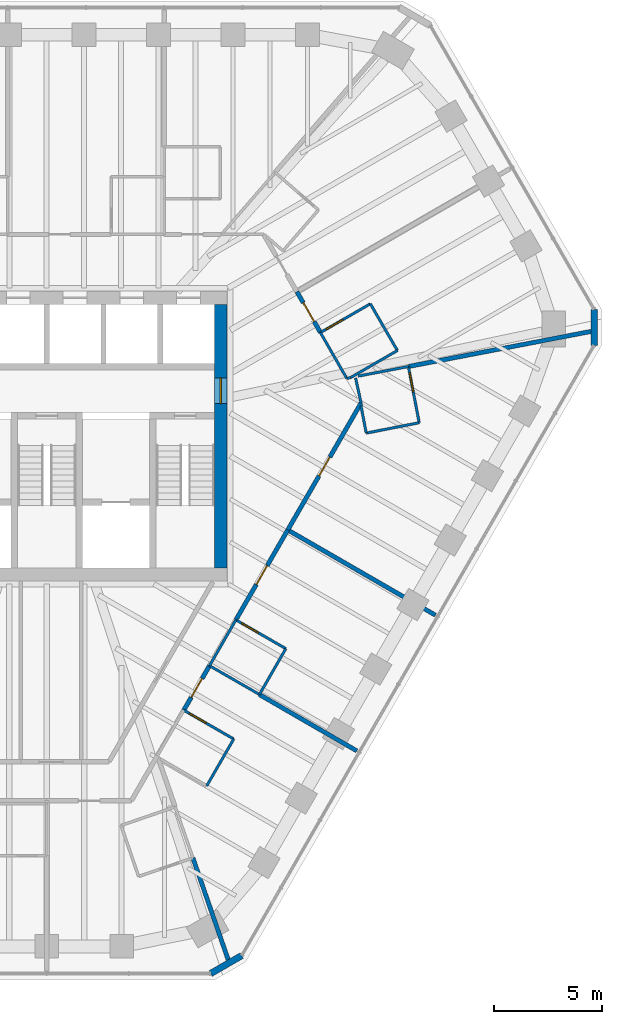
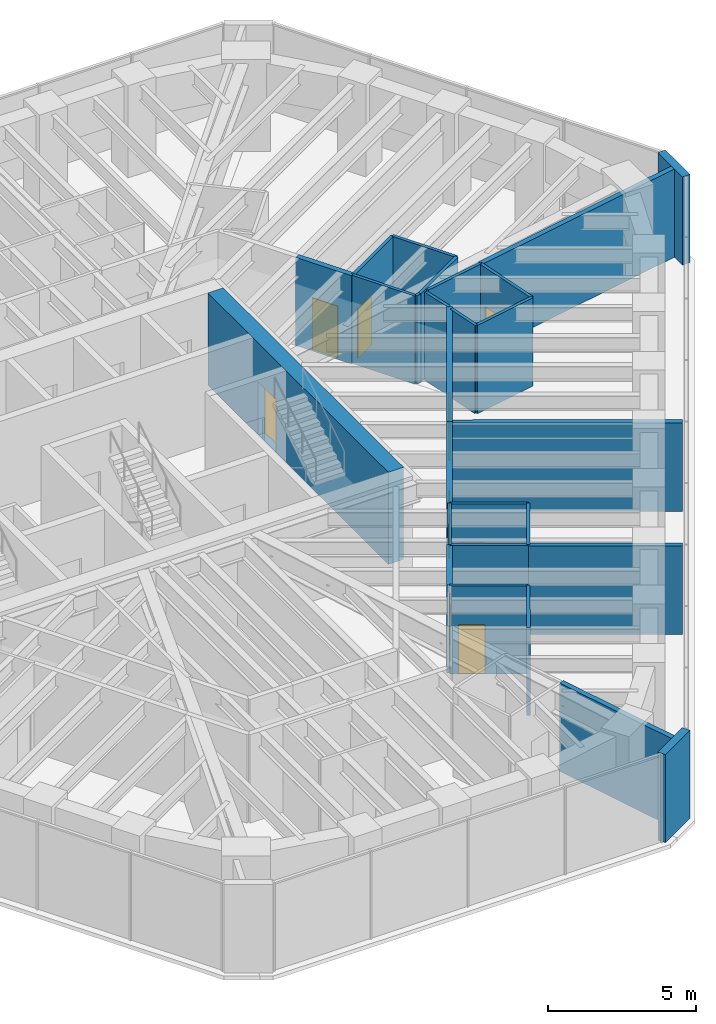
# One storey, part 11 of 14: 27 walls, 9 doors, 9 openings.
"""IFC4 building model written with IfcOpenShell, lengths in metres."""

from ifc_helpers import new_model, si_unit, direction, frame, frame_2d, origin, place, context, subcontext, project, spatial, rectangle, extrude, material, layer, layer_set, type_object, element, fill, save


model = new_model("IFC4")

# Units and contexts
model_context = context("Model", 3, precision=1e-05, world=origin(), true_north=direction((0.0, 1.0)))
body_context = subcontext(model_context, "Body", "Model", "MODEL_VIEW")
ifc_project = project(units=[si_unit("LENGTHUNIT", "METRE"), si_unit("AREAUNIT", "SQUARE_METRE"), si_unit("VOLUMEUNIT", "CUBIC_METRE"), si_unit("PLANEANGLEUNIT", "RADIAN"), si_unit("MASSUNIT", "GRAM", prefix="KILO")], contexts=[model_context])

# Site, building, storey
site_placement = place(None, origin())
site = spatial("IfcSite", under=ifc_project, at=site_placement, CompositionType="ELEMENT")
building_placement = place(site_placement, origin())
building = spatial("IfcBuilding", under=site, at=building_placement, Name="Sandreach Pilgrim Tower", CompositionType="ELEMENT")
storey_placement = place(building_placement, frame((0.0, 0.0, 287.39990234375)))
storey = spatial("IfcBuildingStorey", under=building, at=storey_placement, Name="L72", CompositionType="ELEMENT", Elevation=287.39990234375)

# Walls
ifc_material_1 = material(Name="Moisture-resistant gypsum board on steel studs", Category="steel")
ifc_layer_1 = layer(ifc_material_1, 0.1201171875)
ifc_layer_set_1 = layer_set([ifc_layer_1], Name="Bathroom partition 120")
wall_type_1 = type_object("IfcWallType", Name="Bathroom partition 120", PredefinedType="PARTITIONING", material=ifc_layer_set_1)
wall_1_placement = place(storey_placement, frame((7.39990234375, -16.179931640625, 0.0), z_axis=(0.0, 0.0, 1.0), x_axis=(0.499159685399, 0.866510016372, 0.0)))
element("IfcWall", 1, at=wall_1_placement, inside=storey, type_object=wall_type_1, Name="Bathroom partition L72-086", PredefinedType="PARTITIONING", context=body_context, shape_type="SweptSolid", body=[
    extrude(rectangle(XDim=2.504150390625, YDim=0.1201171875, at=frame_2d((1.251953125, 0.0))), origin(), (0.0, 0.0, 1.0), 3.64013671875),
])
wall_2_placement = place(storey_placement, frame((7.530029296875, -10.6201171875, 0.0), z_axis=(0.0, 0.0, 1.0), x_axis=(0.498748634132, 0.866746675766, 0.0)))
element("IfcWall", 2, at=wall_2_placement, inside=storey, type_object=wall_type_1, Name="Bathroom partition L72-087", PredefinedType="PARTITIONING", context=body_context, shape_type="SweptSolid", body=[
    extrude(rectangle(XDim=2.446044921875, YDim=0.1201171875, at=frame_2d((1.22314453125, 0.0))), origin(), (0.0, 0.0, 1.0), 3.64013671875),
])
wall_3_placement = place(storey_placement, frame((7.530029296875, -10.6201171875, 0.0), z_axis=(0.0, 0.0, 1.0), x_axis=(0.866654860089, -0.498908161372, 0.0)))
element("IfcWall", 3, at=wall_3_placement, inside=storey, type_object=wall_type_1, Name="Bathroom partition L72-088", PredefinedType="PARTITIONING", context=body_context, shape_type="SweptSolid", body=[
    extrude(rectangle(XDim=2.66552734375, YDim=0.1201171875, at=frame_2d((1.332763671875, 0.0))), origin(), (0.0, 0.0, 1.0), 3.64013671875),
])

# Wall, opening, door
wall_4_placement = place(storey_placement, frame((8.64990234375, -14.010009765625, 0.0), z_axis=(0.0, 0.0, 1.0), x_axis=(-0.866592449628, 0.499016559092, 0.0)))
wall_4 = element("IfcWall", 4, at=wall_4_placement, inside=storey, type_object=wall_type_1, Name="Bathroom partition L72-094", PredefinedType="PARTITIONING", context=body_context, shape_type="SweptSolid", body=[
    extrude(rectangle(XDim=2.665283203125, YDim=0.1201171875, at=frame_2d((1.33251953125, 0.0))), origin(), (0.0, 0.0, 1.0), 3.64013671875),
])
opening_1_placement = place(wall_4_placement, frame((1.465576171875, 0.0, 0.0)))
opening_1 = element("IfcOpeningElement", 5, at=opening_1_placement, cuts=wall_4, Name="Opening D09-09B", PredefinedType="OPENING", context=body_context, shape_type="SweptSolid", body=[
    extrude(rectangle(XDim=0.89990234375, YDim=2.030029296875, at=frame_2d((0.449951171875, 1.01513671875))), frame((0.0, 0.06005859375, 0.0), z_axis=(0.0, -1.0, 0.0), x_axis=(1.0, 0.0, 0.0)), (0.0, 0.0, 1.0), 0.1201171875),
])
ifc_material_2 = material(Name="Timber door, steel frame", Category="steel")
door_type_1 = type_object("IfcDoorType", Name="Bathroom door", OperationType="SINGLE_SWING_LEFT", PredefinedType="DOOR", material=ifc_material_2)
door_1_placement = place(opening_1_placement, origin())
door_1 = element("IfcDoor", 6, at=door_1_placement, inside=storey, type_object=door_type_1, Name="Door 7209B", OperationType="SINGLE_SWING_RIGHT", OverallHeight=2.030029296875, OverallWidth=0.89990234375, PredefinedType="DOOR", context=body_context, shape_type="SweptSolid", body=[
    extrude(rectangle(XDim=0.89990234375, YDim=2.030029296875, at=frame_2d((0.449951171875, 1.01513671875))), frame((0.0, 0.02490234375, 0.0), z_axis=(0.0, -1.0, 0.0), x_axis=(1.0, 0.0, 0.0)), (0.0, 0.0, 1.0), 0.050048828125),
])
fill(opening_1, door_1)

# Wall
wall_5_placement = place(storey_placement, frame((9.840087890625, -11.949951171875, 0.0), z_axis=(0.0, 0.0, 1.0), x_axis=(0.498791783817, 0.866721844883, 0.0)))
element("IfcWall", 7, at=wall_5_placement, inside=storey, type_object=wall_type_1, Name="Bathroom partition L72-096", PredefinedType="PARTITIONING", context=body_context, shape_type="SweptSolid", body=[
    extrude(rectangle(XDim=2.44580078125, YDim=0.1201171875, at=frame_2d((1.222900390625, 0.0))), origin(), (0.0, 0.0, 1.0), 3.64013671875),
])

# Wall, opening, door
wall_6_placement = place(storey_placement, frame((11.06005859375, -9.830078125, 0.0), z_axis=(0.0, 0.0, 1.0), x_axis=(-0.866615255992, 0.498976951453, 0.0)))
wall_6 = element("IfcWall", 8, at=wall_6_placement, inside=storey, type_object=wall_type_1, Name="Bathroom partition L72-102", PredefinedType="PARTITIONING", context=body_context, shape_type="SweptSolid", body=[
    extrude(rectangle(XDim=2.66552734375, YDim=0.1201171875, at=frame_2d((1.332763671875, 0.0))), origin(), (0.0, 0.0, 1.0), 3.64013671875),
])
opening_2_placement = place(wall_6_placement, frame((1.465576171875, 0.0, 0.0)))
opening_2 = element("IfcOpeningElement", 9, at=opening_2_placement, cuts=wall_6, Name="Opening D09-08B", PredefinedType="OPENING", context=body_context, shape_type="SweptSolid", body=[
    extrude(rectangle(XDim=0.89990234375, YDim=2.030029296875, at=frame_2d((0.449951171875, 1.01513671875))), frame((0.0, 0.06005859375, 0.0), z_axis=(0.0, -1.0, 0.0), x_axis=(1.0, 0.0, 0.0)), (0.0, 0.0, 1.0), 0.1201171875),
])
door_2_placement = place(opening_2_placement, origin())
door_2 = element("IfcDoor", 10, at=door_2_placement, inside=storey, type_object=door_type_1, Name="Door 7208B", OperationType="SINGLE_SWING_RIGHT", OverallHeight=2.030029296875, OverallWidth=0.89990234375, PredefinedType="DOOR", context=body_context, shape_type="SweptSolid", body=[
    extrude(rectangle(XDim=0.89990234375, YDim=2.030029296875, at=frame_2d((0.449951171875, 1.01513671875))), frame((0.0, 0.02490234375, 0.0), z_axis=(0.0, -1.0, 0.0), x_axis=(1.0, 0.0, 0.0)), (0.0, 0.0, 1.0), 0.050048828125),
])
fill(opening_2, door_2)

# Walls
wall_7_placement = place(storey_placement, frame((12.659912109375, 4.7900390625, 0.0), z_axis=(0.0, 0.0, 1.0), x_axis=(0.498748634132, -0.866746675766, 0.0)))
element("IfcWall", 11, at=wall_7_placement, inside=storey, type_object=wall_type_1, Name="Bathroom partition L72-106", PredefinedType="PARTITIONING", context=body_context, shape_type="SweptSolid", body=[
    extrude(rectangle(XDim=2.446044921875, YDim=0.1201171875, at=frame_2d((1.22314453125, 0.0))), origin(), (0.0, 0.0, 1.0), 3.64013671875),
])
wall_8_placement = place(storey_placement, frame((14.055908203125, 2.705078125, 0.0), z_axis=(0.0, 0.0, 1.0), x_axis=(-0.982045999474, -0.188641604419, 0.0)))
element("IfcWall", 12, at=wall_8_placement, inside=storey, type_object=wall_type_1, Name="Bathroom partition L72-107", PredefinedType="PARTITIONING", context=body_context, shape_type="SweptSolid", body=[
    extrude(rectangle(XDim=0.176025390625, YDim=0.1201171875, at=frame_2d((0.087890625, 0.0))), origin(), (0.0, 0.0, 1.0), 3.64013671875),
])
wall_9_placement = place(storey_placement, frame((14.06005859375, 2.7099609375, 0.0), z_axis=(0.0, 0.0, 1.0), x_axis=(0.865508881864, 0.500893576935, 0.0)))
element("IfcWall", 13, at=wall_9_placement, inside=storey, type_object=wall_type_1, Name="Bathroom partition L72-108", PredefinedType="PARTITIONING", context=body_context, shape_type="SweptSolid", body=[
    extrude(rectangle(XDim=2.49560546875, YDim=0.1201171875, at=frame_2d((1.247802734375, 0.0))), origin(), (0.0, 0.0, 1.0), 3.64013671875),
])
wall_10_placement = place(storey_placement, frame((14.402587890625, 2.775390625, 0.0), z_axis=(0.0, 0.0, 1.0), x_axis=(0.98224012976, 0.187628162834, 0.0)))
element("IfcWall", 14, at=wall_10_placement, inside=storey, type_object=wall_type_1, Name="Bathroom partition L72-110", PredefinedType="PARTITIONING", context=body_context, shape_type="SweptSolid", body=[
    extrude(rectangle(XDim=2.369384765625, YDim=0.1201171875, at=frame_2d((1.1845703125, 0.0))), origin(), (0.0, 0.0, 1.0), 3.64013671875),
])
wall_11_placement = place(storey_placement, frame((14.537109375, 1.401611328125, 0.0), z_axis=(0.0, 0.0, 1.0), x_axis=(0.189058811395, -0.981965766121, 0.0)))
element("IfcWall", 15, at=wall_11_placement, inside=storey, type_object=wall_type_1, Name="Bathroom partition L72-111", PredefinedType="PARTITIONING", context=body_context, shape_type="SweptSolid", body=[
    extrude(rectangle(XDim=1.284912109375, YDim=0.1201171875, at=frame_2d((0.642578125, 0.0))), origin(), (0.0, 0.0, 1.0), 3.64013671875),
])
wall_12_placement = place(storey_placement, frame((14.540283203125, 1.531494140625, 0.0), z_axis=(0.0, 0.0, 1.0), x_axis=(-0.213377769455, 0.976969767957, 0.0)))
element("IfcWall", 16, at=wall_12_placement, inside=storey, type_object=wall_type_1, Name="Bathroom partition L72-112", PredefinedType="PARTITIONING", context=body_context, shape_type="SweptSolid", body=[
    extrude(rectangle(XDim=1.1865234375, YDim=0.1201171875, at=frame_2d((0.59326171875, 0.0))), origin(), (0.0, 0.0, 1.0), 3.64013671875),
])
wall_13_placement = place(storey_placement, frame((14.780029296875, 0.139892578125, 0.0), z_axis=(0.0, 0.0, 1.0), x_axis=(0.981325695508, 0.192353526962, 0.0)))
element("IfcWall", 17, at=wall_13_placement, inside=storey, type_object=wall_type_1, Name="Bathroom partition L72-113", PredefinedType="PARTITIONING", context=body_context, shape_type="SweptSolid", body=[
    extrude(rectangle(XDim=2.49658203125, YDim=0.1201171875, at=frame_2d((1.248291015625, 0.0))), origin(), (0.0, 0.0, 1.0), 3.64013671875),
])

# Wall, opening, door
wall_14_placement = place(storey_placement, frame((14.969970703125, 6.1201171875, 0.0), z_axis=(0.0, 0.0, 1.0), x_axis=(-0.866615255992, -0.498976951453, 0.0)))
wall_14 = element("IfcWall", 18, at=wall_14_placement, inside=storey, type_object=wall_type_1, Name="Bathroom partition L72-114", PredefinedType="PARTITIONING", context=body_context, shape_type="SweptSolid", body=[
    extrude(rectangle(XDim=2.66552734375, YDim=0.1201171875, at=frame_2d((1.332763671875, 0.0))), origin(), (0.0, 0.0, 1.0), 3.64013671875),
])
opening_3_placement = place(wall_14_placement, frame((1.465576171875, 0.0, 0.0)))
opening_3 = element("IfcOpeningElement", 19, at=opening_3_placement, cuts=wall_14, Name="Opening D09-06B", PredefinedType="OPENING", context=body_context, shape_type="SweptSolid", body=[
    extrude(rectangle(XDim=0.89990234375, YDim=2.030029296875, at=frame_2d((0.449951171875, 1.01513671875))), frame((0.0, 0.06005859375, 0.0), z_axis=(0.0, -1.0, 0.0), x_axis=(1.0, 0.0, 0.0)), (0.0, 0.0, 1.0), 0.1201171875),
])
door_3_placement = place(opening_3_placement, origin())
door_3 = element("IfcDoor", 20, at=door_3_placement, inside=storey, type_object=door_type_1, Name="Door 7206B", OperationType="SINGLE_SWING_RIGHT", OverallHeight=2.030029296875, OverallWidth=0.89990234375, PredefinedType="DOOR", context=body_context, shape_type="SweptSolid", body=[
    extrude(rectangle(XDim=0.89990234375, YDim=2.030029296875, at=frame_2d((0.449951171875, 1.01513671875))), frame((0.0, 0.02490234375, 0.0), z_axis=(0.0, -1.0, 0.0), x_axis=(1.0, 0.0, 0.0)), (0.0, 0.0, 1.0), 0.050048828125),
])
fill(opening_3, door_3)

# Wall
wall_15_placement = place(storey_placement, frame((16.219970703125, 3.9599609375, 0.0), z_axis=(0.0, 0.0, 1.0), x_axis=(-0.500893576935, 0.865508881864, 0.0)))
element("IfcWall", 21, at=wall_15_placement, inside=storey, type_object=wall_type_1, Name="Bathroom partition L72-115", PredefinedType="PARTITIONING", context=body_context, shape_type="SweptSolid", body=[
    extrude(rectangle(XDim=2.49560546875, YDim=0.1201171875, at=frame_2d((1.247802734375, 0.0))), origin(), (0.0, 0.0, 1.0), 3.64013671875),
])

# Wall, opening, door
wall_16_placement = place(storey_placement, frame((17.22998046875, 0.6201171875, 0.0), z_axis=(0.0, 0.0, 1.0), x_axis=(-0.18885765444, 0.982004473696, 0.0)))
wall_16 = element("IfcWall", 22, at=wall_16_placement, inside=storey, type_object=wall_type_1, Name="Bathroom partition L72-117", PredefinedType="PARTITIONING", context=body_context, shape_type="SweptSolid", body=[
    extrude(rectangle(XDim=2.6474609375, YDim=0.1201171875, at=frame_2d((1.32373046875, 0.0))), origin(), (0.0, 0.0, 1.0), 3.64013671875),
])
opening_4_placement = place(wall_16_placement, frame((1.447509765625, 0.0, 0.0)))
opening_4 = element("IfcOpeningElement", 23, at=opening_4_placement, cuts=wall_16, Name="Opening D09-07B", PredefinedType="OPENING", context=body_context, shape_type="SweptSolid", body=[
    extrude(rectangle(XDim=0.89990234375, YDim=2.030029296875, at=frame_2d((0.449951171875, 1.01513671875))), frame((0.0, 0.06005859375, 0.0), z_axis=(0.0, -1.0, 0.0), x_axis=(1.0, 0.0, 0.0)), (0.0, 0.0, 1.0), 0.1201171875),
])
door_4_placement = place(opening_4_placement, origin())
door_4 = element("IfcDoor", 24, at=door_4_placement, inside=storey, type_object=door_type_1, Name="Door 7207B", OperationType="SINGLE_SWING_RIGHT", OverallHeight=2.030029296875, OverallWidth=0.89990234375, PredefinedType="DOOR", context=body_context, shape_type="SweptSolid", body=[
    extrude(rectangle(XDim=0.89990234375, YDim=2.030029296875, at=frame_2d((0.449951171875, 1.01513671875))), frame((0.0, 0.02490234375, 0.0), z_axis=(0.0, -1.0, 0.0), x_axis=(1.0, 0.0, 0.0)), (0.0, 0.0, 1.0), 0.050048828125),
])
fill(opening_4, door_4)

ifc_material_3 = material(Name="Concrete 10000 psi", Category="concrete")
ifc_layer_2 = layer(ifc_material_3, 0.60009765625)
ifc_layer_set_2 = layer_set([ifc_layer_2], Name="Core wall 600")
wall_type_2 = type_object("IfcWallType", Name="Core wall 600", PredefinedType="SHEAR", material=ifc_layer_set_2)
wall_17_placement = place(storey_placement, frame((8.050048828125, -6.10009765625, 0.0), z_axis=(0.0, 0.0, 1.0), x_axis=(0.0, 1.0, 0.0)))
wall_17 = element("IfcWall", 25, at=wall_17_placement, inside=storey, type_object=wall_type_2, Name="Core wall E L72", PredefinedType="SHEAR", context=body_context, shape_type="SweptSolid", body=[
    extrude(rectangle(XDim=12.2001953125, YDim=0.60009765625, at=frame_2d((6.10009765625, 0.0))), origin(), (0.0, 0.0, 1.0), 3.800048828125),
])
opening_5_placement = place(wall_17_placement, frame((7.60009765625, 0.0, 0.0)))
opening_5 = element("IfcOpeningElement", 26, at=opening_5_placement, cuts=wall_17, Name="Opening D12F-E", PredefinedType="OPENING", context=body_context, shape_type="SweptSolid", body=[
    extrude(rectangle(XDim=1.199951171875, YDim=2.199951171875, at=frame_2d((0.60009765625, 1.10009765625))), frame((0.0, 0.300048828125, 0.0), z_axis=(0.0, -1.0, 0.0), x_axis=(1.0, 0.0, 0.0)), (0.0, 0.0, 1.0), 0.60009765625),
])
ifc_material_4 = material(Name="Steel door and frame", Category="steel")
door_type_2 = type_object("IfcDoorType", Name="Fire lobby door", OperationType="SINGLE_SWING_LEFT", PredefinedType="DOOR", material=ifc_material_4)
door_5_placement = place(opening_5_placement, origin())
door_5 = element("IfcDoor", 27, at=door_5_placement, inside=storey, type_object=door_type_2, Name="Fire service lobby door E L72", OperationType="SINGLE_SWING_RIGHT", OverallHeight=2.199951171875, OverallWidth=1.199951171875, PredefinedType="DOOR", context=body_context, shape_type="SweptSolid", body=[
    extrude(rectangle(XDim=1.199951171875, YDim=2.199951171875, at=frame_2d((0.60009765625, 1.10009765625))), frame((0.0, 0.02490234375, 0.0), z_axis=(0.0, -1.0, 0.0), x_axis=(1.0, 0.0, 0.0)), (0.0, 0.0, 1.0), 0.050048828125),
])
fill(opening_5, door_5)

ifc_material_5 = material(Name="Gypsum board on steel studs, two layers each side", Category="steel")
ifc_layer_3 = layer(ifc_material_5, 0.199951171875)
ifc_layer_set_3 = layer_set([ifc_layer_3], Name="Corridor wall 200")
wall_type_3 = type_object("IfcWallType", Name="Corridor wall 200", PredefinedType="PARTITIONING", material=ifc_layer_set_3)
wall_18_placement = place(storey_placement, frame((6.340087890625, -12.679931640625, 0.0), z_axis=(0.0, 0.0, 1.0), x_axis=(0.500222880675, 0.865896685321, 0.0)))
wall_18 = element("IfcWall", 28, at=wall_18_placement, inside=storey, type_object=wall_type_3, Name="Corridor wall L72-084", PredefinedType="PARTITIONING", context=body_context, shape_type="SweptSolid", body=[
    extrude(rectangle(XDim=2.37890625, YDim=0.199951171875, at=frame_2d((1.189453125, 0.0))), origin(), (0.0, 0.0, 1.0), 3.64013671875),
])
opening_6_placement = place(wall_18_placement, frame((0.689453125, 0.0, 0.0)))
opening_6 = element("IfcOpeningElement", 29, at=opening_6_placement, cuts=wall_18, Name="Opening D10-09", PredefinedType="OPENING", context=body_context, shape_type="SweptSolid", body=[
    extrude(rectangle(XDim=1.0, YDim=2.1298828125, at=frame_2d((0.5, 1.06494140625))), frame((0.0, 0.10009765625, 0.0), z_axis=(0.0, -1.0, 0.0), x_axis=(1.0, 0.0, 0.0)), (0.0, 0.0, 1.0), 0.199951171875),
])
ifc_material_6 = material(Name="Steel door and frame", Category="steel")
door_type_3 = type_object("IfcDoorType", Name="Guest room entry door", OperationType="SINGLE_SWING_LEFT", PredefinedType="DOOR", material=ifc_material_6)
door_6_placement = place(opening_6_placement, origin())
door_6 = element("IfcDoor", 30, at=door_6_placement, inside=storey, type_object=door_type_3, Name="Door 7209", OperationType="SINGLE_SWING_LEFT", OverallHeight=2.1298828125, OverallWidth=1.0, PredefinedType="DOOR", context=body_context, shape_type="SweptSolid", body=[
    extrude(rectangle(XDim=1.0, YDim=2.1298828125, at=frame_2d((0.5, 1.06494140625))), frame((0.0, 0.02490234375, 0.0), z_axis=(0.0, -1.0, 0.0), x_axis=(1.0, 0.0, 0.0)), (0.0, 0.0, 1.0), 0.050048828125),
])
fill(opening_6, door_6)

wall_19_placement = place(storey_placement, frame((8.7490234375, -8.49951171875, 0.0), z_axis=(0.0, 0.0, 1.0), x_axis=(0.499911676512, 0.866076391369, 0.0)))
wall_19 = element("IfcWall", 31, at=wall_19_placement, inside=storey, type_object=wall_type_3, Name="Corridor wall L72-095", PredefinedType="PARTITIONING", context=body_context, shape_type="SweptSolid", body=[
    extrude(rectangle(XDim=4.802490234375, YDim=0.199951171875, at=frame_2d((2.4013671875, 0.0))), origin(), (0.0, 0.0, 1.0), 3.64013671875),
])
opening_7_placement = place(wall_19_placement, frame((1.9013671875, 0.0, 0.0)))
opening_7 = element("IfcOpeningElement", 32, at=opening_7_placement, cuts=wall_19, Name="Opening D10-08", PredefinedType="OPENING", context=body_context, shape_type="SweptSolid", body=[
    extrude(rectangle(XDim=1.0, YDim=2.1298828125, at=frame_2d((0.5, 1.06494140625))), frame((0.0, 0.10009765625, 0.0), z_axis=(0.0, -1.0, 0.0), x_axis=(1.0, 0.0, 0.0)), (0.0, 0.0, 1.0), 0.199951171875),
])
door_7_placement = place(opening_7_placement, origin())
door_7 = element("IfcDoor", 33, at=door_7_placement, inside=storey, type_object=door_type_3, Name="Door 7208", OperationType="SINGLE_SWING_LEFT", OverallHeight=2.1298828125, OverallWidth=1.0, PredefinedType="DOOR", context=body_context, shape_type="SweptSolid", body=[
    extrude(rectangle(XDim=1.0, YDim=2.1298828125, at=frame_2d((0.5, 1.06494140625))), frame((0.0, 0.02490234375, 0.0), z_axis=(0.0, -1.0, 0.0), x_axis=(1.0, 0.0, 0.0)), (0.0, 0.0, 1.0), 0.050048828125),
])
fill(opening_7, door_7)

wall_20_placement = place(storey_placement, frame((11.14990234375, -4.340087890625, 0.0), z_axis=(0.0, 0.0, 1.0), x_axis=(0.500113178326, 0.865960050386, 0.0)))
wall_20 = element("IfcWall", 34, at=wall_20_placement, inside=storey, type_object=wall_type_3, Name="Corridor wall L72-103", PredefinedType="PARTITIONING", context=body_context, shape_type="SweptSolid", body=[
    extrude(rectangle(XDim=6.77880859375, YDim=0.199951171875, at=frame_2d((3.389404296875, 0.0))), origin(), (0.0, 0.0, 1.0), 3.64013671875),
])
opening_8_placement = place(wall_20_placement, frame((2.889404296875, 0.0, 0.0)))
opening_8 = element("IfcOpeningElement", 35, at=opening_8_placement, cuts=wall_20, Name="Opening D10-07", PredefinedType="OPENING", context=body_context, shape_type="SweptSolid", body=[
    extrude(rectangle(XDim=1.0, YDim=2.1298828125, at=frame_2d((0.5, 1.06494140625))), frame((0.0, 0.10009765625, 0.0), z_axis=(0.0, -1.0, 0.0), x_axis=(1.0, 0.0, 0.0)), (0.0, 0.0, 1.0), 0.199951171875),
])
door_8_placement = place(opening_8_placement, origin())
door_8 = element("IfcDoor", 36, at=door_8_placement, inside=storey, type_object=door_type_3, Name="Door 7207", OperationType="SINGLE_SWING_LEFT", OverallHeight=2.1298828125, OverallWidth=1.0, PredefinedType="DOOR", context=body_context, shape_type="SweptSolid", body=[
    extrude(rectangle(XDim=1.0, YDim=2.1298828125, at=frame_2d((0.5, 1.06494140625))), frame((0.0, 0.02490234375, 0.0), z_axis=(0.0, -1.0, 0.0), x_axis=(1.0, 0.0, 0.0)), (0.0, 0.0, 1.0), 0.050048828125),
])
fill(opening_8, door_8)

wall_21_placement = place(storey_placement, frame((11.57177734375, 6.68115234375, 0.0), z_axis=(0.0, 0.0, 1.0), x_axis=(0.500074377092, -0.865982457891, 0.0)))
wall_21 = element("IfcWall", 37, at=wall_21_placement, inside=storey, type_object=wall_type_3, Name="Corridor wall L72-104", PredefinedType="PARTITIONING", context=body_context, shape_type="SweptSolid", body=[
    extrude(rectangle(XDim=2.181884765625, YDim=0.199951171875, at=frame_2d((1.0908203125, 0.0))), origin(), (0.0, 0.0, 1.0), 3.64013671875),
])
opening_9_placement = place(wall_21_placement, frame((0.5908203125, 0.0, 0.0)))
opening_9 = element("IfcOpeningElement", 38, at=opening_9_placement, cuts=wall_21, Name="Opening D10-06", PredefinedType="OPENING", context=body_context, shape_type="SweptSolid", body=[
    extrude(rectangle(XDim=1.0, YDim=2.1298828125, at=frame_2d((0.5, 1.06494140625))), frame((0.0, 0.10009765625, 0.0), z_axis=(0.0, -1.0, 0.0), x_axis=(1.0, 0.0, 0.0)), (0.0, 0.0, 1.0), 0.199951171875),
])
door_9_placement = place(opening_9_placement, origin())
door_9 = element("IfcDoor", 39, at=door_9_placement, inside=storey, type_object=door_type_3, Name="Door 7206", OperationType="SINGLE_SWING_LEFT", OverallHeight=2.1298828125, OverallWidth=1.0, PredefinedType="DOOR", context=body_context, shape_type="SweptSolid", body=[
    extrude(rectangle(XDim=1.0, YDim=2.1298828125, at=frame_2d((0.5, 1.06494140625))), frame((0.0, 0.02490234375, 0.0), z_axis=(0.0, -1.0, 0.0), x_axis=(1.0, 0.0, 0.0)), (0.0, 0.0, 1.0), 0.050048828125),
])
fill(opening_9, door_9)

# Walls
ifc_material_7 = material(Name="Double steel stud acoustic wall, gypsum board", Category="steel")
ifc_layer_4 = layer(ifc_material_7, 0.199951171875)
ifc_layer_set_4 = layer_set([ifc_layer_4], Name="Party wall 200")
wall_type_4 = type_object("IfcWallType", Name="Party wall 200", PredefinedType="PARTITIONING", material=ifc_layer_set_4)
wall_22_placement = place(storey_placement, frame((6.760009765625, -19.510009765625, 0.0), z_axis=(0.0, 0.0, 1.0), x_axis=(0.327780464108, -0.944753918938, 0.0)))
element("IfcWall", 40, at=wall_22_placement, inside=storey, type_object=wall_type_4, Name="Party wall L72-085", PredefinedType="PARTITIONING", context=body_context, shape_type="SweptSolid", body=[
    extrude(rectangle(XDim=5.156494140625, YDim=0.199951171875, at=frame_2d((2.578125, 0.0))), origin(), (0.0, 0.0, 1.0), 3.64013671875),
])
wall_23_placement = place(storey_placement, frame((14.34619140625, -14.56005859375, 0.0), z_axis=(0.0, 0.0, 1.0), x_axis=(-0.86575990496, 0.500459575754, 0.0)))
element("IfcWall", 41, at=wall_23_placement, inside=storey, type_object=wall_type_4, Name="Party wall L72-109", PredefinedType="PARTITIONING", context=body_context, shape_type="SweptSolid", body=[
    extrude(rectangle(XDim=5.20751953125, YDim=0.199951171875, at=frame_2d((2.603759765625, 0.0))), origin(), (0.0, 0.0, 1.0), 3.64013671875),
])
wall_24_placement = place(storey_placement, frame((16.72998046875, 3.219970703125, 0.0), z_axis=(0.0, 0.0, 1.0), x_axis=(0.982039995549, 0.188672857462, 0.0)))
element("IfcWall", 42, at=wall_24_placement, inside=storey, type_object=wall_type_4, Name="Party wall L72-116", PredefinedType="PARTITIONING", context=body_context, shape_type="SweptSolid", body=[
    extrude(rectangle(XDim=8.76806640625, YDim=0.199951171875, at=frame_2d((4.384033203125, 0.0))), origin(), (0.0, 0.0, 1.0), 3.64013671875),
])
wall_25_placement = place(storey_placement, frame((17.97607421875, -8.280029296875, 0.0), z_axis=(0.0, 0.0, 1.0), x_axis=(-0.866080683341, 0.499904240773, 0.0)))
element("IfcWall", 43, at=wall_25_placement, inside=storey, type_object=wall_type_4, Name="Party wall L72-118", PredefinedType="PARTITIONING", context=body_context, shape_type="SweptSolid", body=[
    extrude(rectangle(XDim=7.86669921875, YDim=0.199951171875, at=frame_2d((3.933349609375, 0.0))), origin(), (0.0, 0.0, 1.0), 3.64013671875),
])
ifc_material_8 = material(Name="Terracotta rainscreen on concrete", Category="masonry")
ifc_layer_5 = layer(ifc_material_8, 0.300048828125)
ifc_layer_set_5 = layer_set([ifc_layer_5], Name="Terracotta chamfer pier")
wall_type_5 = type_object("IfcWallType", Name="Terracotta chamfer pier", PredefinedType="SOLIDWALL", material=ifc_layer_set_5)
for number, where, z_axis, x_axis, name in (
    (44, (25.3193359375, 5.861572265625, 0.0), (0.0, 0.0, 1.0), (0.0, -1.0, 0.0), "Chamfer pier L72 NE"),
    (45, (9.02099609375, -24.028076171875, 0.0), (0.0, 0.0, 1.0), (-0.865989634427, -0.500061949227, 0.0), "Chamfer pier L72 SE"),
):
    element("IfcWall", number, at=place(storey_placement, frame(where, z_axis=z_axis, x_axis=x_axis)), inside=storey, type_object=wall_type_5, Name=name, PredefinedType="SOLIDWALL", context=body_context, shape_type="SweptSolid", body=[
        extrude(rectangle(XDim=1.659912109375, YDim=0.300048828125, at=frame_2d((0.830078125, 0.0))), origin(), (0.0, 0.0, 1.0), 3.64013671875),
    ])

save(model, "model.ifc")
